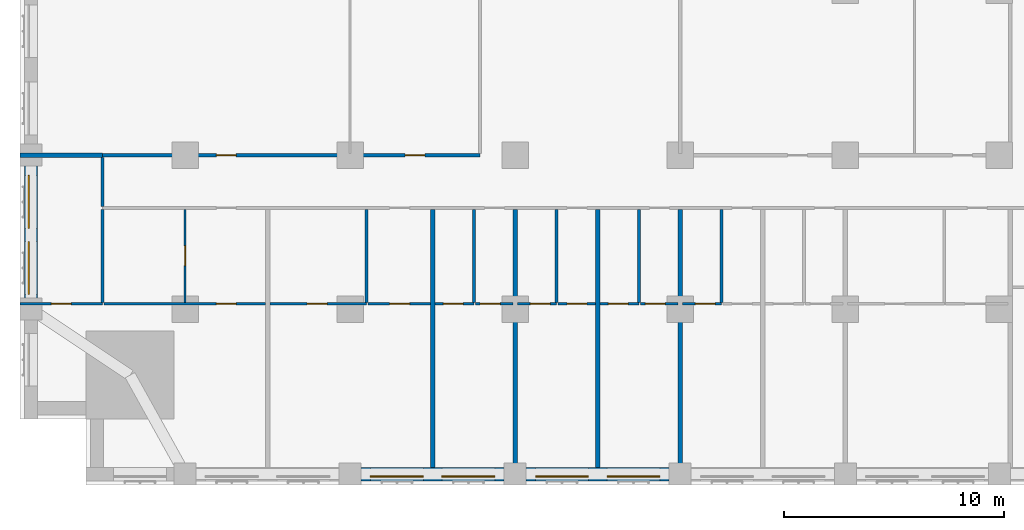
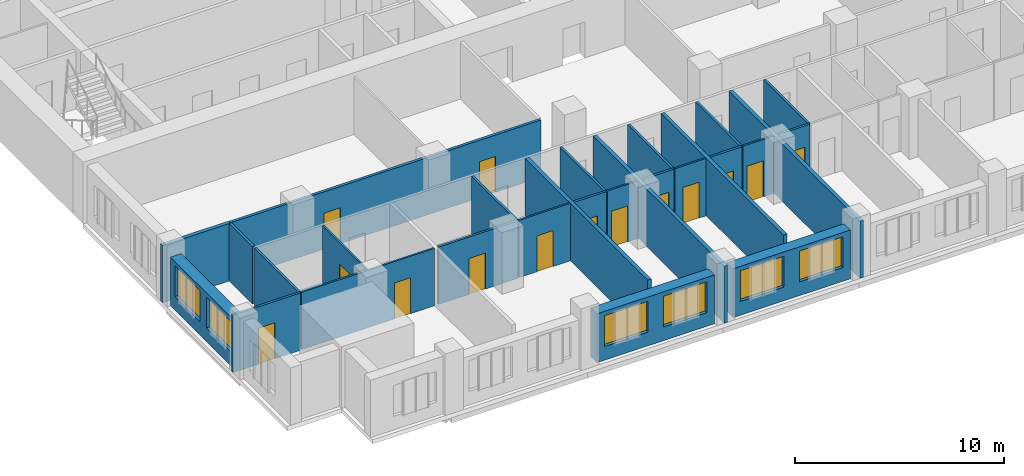
# One storey, part 4 of 15: 28 walls, 14 doors, 6 windows, 20 openings.
"""IFC4 building model written with IfcOpenShell, lengths in metres."""

from ifc_helpers import new_model, si_unit, direction, frame, frame_2d, origin, place, context, subcontext, project, spatial, rectangle, extrude, material, layer, layer_set, type_object, element, fill, save


model = new_model("IFC4")

# Units and contexts
model_context = context("Model", 3, precision=1e-05, world=origin(), true_north=direction((0.0, 1.0)))
body_context = subcontext(model_context, "Body", "Model", "MODEL_VIEW")
ifc_project = project(units=[si_unit("LENGTHUNIT", "METRE"), si_unit("AREAUNIT", "SQUARE_METRE"), si_unit("VOLUMEUNIT", "CUBIC_METRE"), si_unit("PLANEANGLEUNIT", "RADIAN"), si_unit("MASSUNIT", "GRAM", prefix="KILO")], contexts=[model_context])

# Site, building, storey
site_placement = place(None, origin())
site = spatial("IfcSite", under=ifc_project, at=site_placement, CompositionType="ELEMENT")
building_placement = place(site_placement, origin())
building = spatial("IfcBuilding", under=site, at=building_placement, Name="Tamorin Gate", CompositionType="ELEMENT")
storey_placement = place(building_placement, frame((0.0, 0.0, 48.39990234375)))
storey = spatial("IfcBuildingStorey", under=building, at=storey_placement, Name="L10", CompositionType="ELEMENT", Elevation=48.39990234375)

# Wall, openings, windows
ifc_material_1 = material(Name="Precast concrete C40/50", Category="concrete")
ifc_layer_1 = layer(ifc_material_1, 0.60009765625)
ifc_layer_set_1 = layer_set([ifc_layer_1], Name="Precast concrete C40/50")
wall_type_1 = type_object("IfcWallType", Name="Board-marked concrete facade panel 600", PredefinedType="SOLIDWALL", material=ifc_layer_set_1)
wall_1_placement = place(storey_placement, frame((45.5, 38.0, 0.0), z_axis=(0.0, 0.0, 1.0), x_axis=(1.0, 0.0, 0.0)))
wall_1 = element("IfcWall", 1, at=wall_1_placement, inside=storey, type_object=wall_type_1, Name="Facade panel", PredefinedType="SOLIDWALL", context=body_context, shape_type="SweptSolid", body=[
    extrude(rectangle(XDim=6.5, YDim=0.60009765625, at=frame_2d((3.25, 0.0))), origin(), (0.0, 0.0, 1.0), 2.85009765625),
])
opening_1_placement = place(wall_1_placement, frame((0.425048828125, 0.0, 0.800048828125)))
opening_1 = element("IfcOpeningElement", 2, at=opening_1_placement, cuts=wall_1, Name="Opening WN1", PredefinedType="OPENING", context=body_context, shape_type="SweptSolid", body=[
    extrude(rectangle(XDim=2.39990234375, YDim=1.800048828125, at=frame_2d((1.199951171875, 0.89990234375))), frame((0.0, 0.31005859375, 0.0), z_axis=(0.0, -1.0, 0.0), x_axis=(1.0, 0.0, 0.0)), (0.0, 0.0, 1.0), 0.6201171875),
])
opening_2_placement = place(wall_1_placement, frame((3.675048828125, 0.0, 0.800048828125)))
opening_2 = element("IfcOpeningElement", 3, at=opening_2_placement, cuts=wall_1, Name="Opening WN1", PredefinedType="OPENING", context=body_context, shape_type="SweptSolid", body=[
    extrude(rectangle(XDim=2.39990234375, YDim=1.800048828125, at=frame_2d((1.199951171875, 0.89990234375))), frame((0.0, 0.31005859375, 0.0), z_axis=(0.0, -1.0, 0.0), x_axis=(1.0, 0.0, 0.0)), (0.0, 0.0, 1.0), 0.6201171875),
])
ifc_material_2 = material(Name="Clear glass in aluminium frame", Category="aluminium")
window_type = type_object("IfcWindowType", Name="Deep-set window 2400x1800", PartitioningType="SINGLE_PANEL", PredefinedType="WINDOW", material=ifc_material_2)
window_1_placement = place(opening_1_placement, origin())
window_1 = element("IfcWindow", 4, at=window_1_placement, inside=storey, type_object=window_type, Name="Deep-set window", OverallHeight=1.800048828125, OverallWidth=2.39990234375, PartitioningType="SINGLE_PANEL", PredefinedType="WINDOW", context=body_context, shape_type="SweptSolid", body=[
    extrude(rectangle(XDim=2.39990234375, YDim=1.800048828125, at=frame_2d((1.199951171875, 0.89990234375))), frame((0.0, -0.070068359375, 0.0), z_axis=(0.0, -1.0, 0.0), x_axis=(1.0, 0.0, 0.0)), (0.0, 0.0, 1.0), 0.06005859375),
])
fill(opening_1, window_1)
window_2_placement = place(opening_2_placement, origin())
window_2 = element("IfcWindow", 5, at=window_2_placement, inside=storey, type_object=window_type, Name="Deep-set window", OverallHeight=1.800048828125, OverallWidth=2.39990234375, PartitioningType="SINGLE_PANEL", PredefinedType="WINDOW", context=body_context, shape_type="SweptSolid", body=[
    extrude(rectangle(XDim=2.39990234375, YDim=1.800048828125, at=frame_2d((1.199951171875, 0.89990234375))), frame((0.0, -0.070068359375, 0.0), z_axis=(0.0, -1.0, 0.0), x_axis=(1.0, 0.0, 0.0)), (0.0, 0.0, 1.0), 0.06005859375),
])
fill(opening_2, window_2)

wall_2_placement = place(storey_placement, frame((53.0, 38.0, 0.0), z_axis=(0.0, 0.0, 1.0), x_axis=(1.0, 0.0, 0.0)))
wall_2 = element("IfcWall", 6, at=wall_2_placement, inside=storey, type_object=wall_type_1, Name="Facade panel", PredefinedType="SOLIDWALL", context=body_context, shape_type="SweptSolid", body=[
    extrude(rectangle(XDim=6.5, YDim=0.60009765625, at=frame_2d((3.25, 0.0))), origin(), (0.0, 0.0, 1.0), 2.85009765625),
])
opening_3_placement = place(wall_2_placement, frame((0.425048828125, 0.0, 0.800048828125)))
opening_3 = element("IfcOpeningElement", 7, at=opening_3_placement, cuts=wall_2, Name="Opening WN1", PredefinedType="OPENING", context=body_context, shape_type="SweptSolid", body=[
    extrude(rectangle(XDim=2.39990234375, YDim=1.800048828125, at=frame_2d((1.199951171875, 0.89990234375))), frame((0.0, 0.31005859375, 0.0), z_axis=(0.0, -1.0, 0.0), x_axis=(1.0, 0.0, 0.0)), (0.0, 0.0, 1.0), 0.6201171875),
])
opening_4_placement = place(wall_2_placement, frame((3.675048828125, 0.0, 0.800048828125)))
opening_4 = element("IfcOpeningElement", 8, at=opening_4_placement, cuts=wall_2, Name="Opening WN1", PredefinedType="OPENING", context=body_context, shape_type="SweptSolid", body=[
    extrude(rectangle(XDim=2.39990234375, YDim=1.800048828125, at=frame_2d((1.199951171875, 0.89990234375))), frame((0.0, 0.31005859375, 0.0), z_axis=(0.0, -1.0, 0.0), x_axis=(1.0, 0.0, 0.0)), (0.0, 0.0, 1.0), 0.6201171875),
])
window_3_placement = place(opening_3_placement, origin())
window_3 = element("IfcWindow", 9, at=window_3_placement, inside=storey, type_object=window_type, Name="Deep-set window", OverallHeight=1.800048828125, OverallWidth=2.39990234375, PartitioningType="SINGLE_PANEL", PredefinedType="WINDOW", context=body_context, shape_type="SweptSolid", body=[
    extrude(rectangle(XDim=2.39990234375, YDim=1.800048828125, at=frame_2d((1.199951171875, 0.89990234375))), frame((0.0, -0.070068359375, 0.0), z_axis=(0.0, -1.0, 0.0), x_axis=(1.0, 0.0, 0.0)), (0.0, 0.0, 1.0), 0.06005859375),
])
fill(opening_3, window_3)
window_4_placement = place(opening_4_placement, origin())
window_4 = element("IfcWindow", 10, at=window_4_placement, inside=storey, type_object=window_type, Name="Deep-set window", OverallHeight=1.800048828125, OverallWidth=2.39990234375, PartitioningType="SINGLE_PANEL", PredefinedType="WINDOW", context=body_context, shape_type="SweptSolid", body=[
    extrude(rectangle(XDim=2.39990234375, YDim=1.800048828125, at=frame_2d((1.199951171875, 0.89990234375))), frame((0.0, -0.070068359375, 0.0), z_axis=(0.0, -1.0, 0.0), x_axis=(1.0, 0.0, 0.0)), (0.0, 0.0, 1.0), 0.06005859375),
])
fill(opening_4, window_4)

wall_3_placement = place(storey_placement, frame((30.5, 52.0, 0.0), z_axis=(0.0, 0.0, 1.0), x_axis=(0.0, -1.0, 0.0)))
wall_3 = element("IfcWall", 11, at=wall_3_placement, inside=storey, type_object=wall_type_1, Name="Facade panel", PredefinedType="SOLIDWALL", context=body_context, shape_type="SweptSolid", body=[
    extrude(rectangle(XDim=6.0, YDim=0.60009765625, at=frame_2d((3.0, 0.0))), origin(), (0.0, 0.0, 1.0), 2.85009765625),
])
opening_5_placement = place(wall_3_placement, frame((3.425048828125, 0.0, 0.800048828125)))
opening_5 = element("IfcOpeningElement", 12, at=opening_5_placement, cuts=wall_3, Name="Opening WN1", PredefinedType="OPENING", context=body_context, shape_type="SweptSolid", body=[
    extrude(rectangle(XDim=2.39990234375, YDim=1.800048828125, at=frame_2d((1.199951171875, 0.89990234375))), frame((0.0, 0.31005859375, 0.0), z_axis=(0.0, -1.0, 0.0), x_axis=(1.0, 0.0, 0.0)), (0.0, 0.0, 1.0), 0.6201171875),
])
opening_6_placement = place(wall_3_placement, frame((0.425048828125, 0.0, 0.800048828125)))
opening_6 = element("IfcOpeningElement", 13, at=opening_6_placement, cuts=wall_3, Name="Opening WN1", PredefinedType="OPENING", context=body_context, shape_type="SweptSolid", body=[
    extrude(rectangle(XDim=2.39990234375, YDim=1.800048828125, at=frame_2d((1.199951171875, 0.89990234375))), frame((0.0, 0.31005859375, 0.0), z_axis=(0.0, -1.0, 0.0), x_axis=(1.0, 0.0, 0.0)), (0.0, 0.0, 1.0), 0.6201171875),
])
window_5_placement = place(opening_5_placement, origin())
window_5 = element("IfcWindow", 14, at=window_5_placement, inside=storey, type_object=window_type, Name="Deep-set window", OverallHeight=1.800048828125, OverallWidth=2.39990234375, PartitioningType="SINGLE_PANEL", PredefinedType="WINDOW", context=body_context, shape_type="SweptSolid", body=[
    extrude(rectangle(XDim=2.39990234375, YDim=1.800048828125, at=frame_2d((1.199951171875, 0.89990234375))), frame((0.0, -0.070068359375, 0.0), z_axis=(0.0, -1.0, 0.0), x_axis=(1.0, 0.0, 0.0)), (0.0, 0.0, 1.0), 0.06005859375),
])
fill(opening_5, window_5)
window_6_placement = place(opening_6_placement, origin())
window_6 = element("IfcWindow", 15, at=window_6_placement, inside=storey, type_object=window_type, Name="Deep-set window", OverallHeight=1.800048828125, OverallWidth=2.39990234375, PartitioningType="SINGLE_PANEL", PredefinedType="WINDOW", context=body_context, shape_type="SweptSolid", body=[
    extrude(rectangle(XDim=2.39990234375, YDim=1.800048828125, at=frame_2d((1.199951171875, 0.89990234375))), frame((0.0, -0.070068359375, 0.0), z_axis=(0.0, -1.0, 0.0), x_axis=(1.0, 0.0, 0.0)), (0.0, 0.0, 1.0), 0.06005859375),
])
fill(opening_6, window_6)

# Wall, openings, doors
ifc_material_3 = material(Name="Gypsum board partition")
ifc_layer_2 = layer(ifc_material_3, 0.14990234375)
ifc_layer_set_2 = layer_set([ifc_layer_2], Name="Corridor wall 150")
wall_type_2 = type_object("IfcWallType", Name="Corridor wall 150", PredefinedType="PARTITIONING", material=ifc_layer_set_2)
wall_4_placement = place(storey_placement, frame((33.75, 52.5, 0.0), z_axis=(0.0, 0.0, 1.0), x_axis=(1.0, 0.0, 0.0)))
wall_4 = element("IfcWall", 16, at=wall_4_placement, inside=storey, type_object=wall_type_2, Name="Corridor wall 150", PredefinedType="PARTITIONING", context=body_context, shape_type="SweptSolid", body=[
    extrude(rectangle(XDim=17.14990234375, YDim=0.14990234375, at=frame_2d((8.574951171875, 0.0))), origin(), (0.0, 0.0, 1.0), 3.35009765625),
])
opening_7_placement = place(wall_4_placement, frame((5.175048828125, 0.0, 0.0)))
opening_7 = element("IfcOpeningElement", 17, at=opening_7_placement, cuts=wall_4, Name="Opening DH1093", PredefinedType="OPENING", context=body_context, shape_type="SweptSolid", body=[
    extrude(rectangle(XDim=0.89990234375, YDim=2.10009765625, at=frame_2d((0.449951171875, 1.050048828125))), frame((0.0, 0.0849609375, 0.0), z_axis=(0.0, -1.0, 0.0), x_axis=(1.0, 0.0, 0.0)), (0.0, 0.0, 1.0), 0.169921875),
])
opening_8_placement = place(wall_4_placement, frame((13.75, 0.0, 0.0)))
opening_8 = element("IfcOpeningElement", 18, at=opening_8_placement, cuts=wall_4, Name="Opening DH1094", PredefinedType="OPENING", context=body_context, shape_type="SweptSolid", body=[
    extrude(rectangle(XDim=0.89990234375, YDim=2.10009765625, at=frame_2d((0.449951171875, 1.050048828125))), frame((0.0, 0.0849609375, 0.0), z_axis=(0.0, -1.0, 0.0), x_axis=(1.0, 0.0, 0.0)), (0.0, 0.0, 1.0), 0.169921875),
])
ifc_material_4 = material(Name="Timber door leaf", Category="wood")
door_type_1 = type_object("IfcDoorType", Name="Door 900 x 2100 FD30S", OperationType="NOTDEFINED", PredefinedType="DOOR", material=ifc_material_4)
door_1_placement = place(opening_7_placement, origin())
door_1 = element("IfcDoor", 19, at=door_1_placement, inside=storey, type_object=door_type_1, Name="Door DH1093", OperationType="SINGLE_SWING_LEFT", OverallHeight=2.10009765625, OverallWidth=0.89990234375, PredefinedType="DOOR", context=body_context, shape_type="SweptSolid", body=[
    extrude(rectangle(XDim=0.89990234375, YDim=2.10009765625, at=frame_2d((0.449951171875, 1.050048828125))), frame((0.0, 0.02490234375, 0.0), z_axis=(0.0, -1.0, 0.0), x_axis=(1.0, 0.0, 0.0)), (0.0, 0.0, 1.0), 0.050048828125),
])
fill(opening_7, door_1)
door_2_placement = place(opening_8_placement, origin())
door_2 = element("IfcDoor", 20, at=door_2_placement, inside=storey, type_object=door_type_1, Name="Door DH1094", OperationType="SINGLE_SWING_LEFT", OverallHeight=2.10009765625, OverallWidth=0.89990234375, PredefinedType="DOOR", context=body_context, shape_type="SweptSolid", body=[
    extrude(rectangle(XDim=0.89990234375, YDim=2.10009765625, at=frame_2d((0.449951171875, 1.050048828125))), frame((0.0, 0.02490234375, 0.0), z_axis=(0.0, -1.0, 0.0), x_axis=(1.0, 0.0, 0.0)), (0.0, 0.0, 1.0), 0.050048828125),
])
fill(opening_8, door_2)

# Walls
wall_5_placement = place(storey_placement, frame((33.75, 50.175048828125, 0.0), z_axis=(0.0, 0.0, 1.0), x_axis=(0.0, 1.0, 0.0)))
element("IfcWall", 21, at=wall_5_placement, inside=storey, type_object=wall_type_2, Name="Corridor wall 150", PredefinedType="PARTITIONING", context=body_context, shape_type="SweptSolid", body=[
    extrude(rectangle(XDim=2.224853515625, YDim=0.14990234375, at=frame_2d((1.1123046875, 0.0))), origin(), (0.0, 0.0, 1.0), 3.35009765625),
])
ifc_layer_3 = layer(ifc_material_3, 0.199951171875)
ifc_layer_set_3 = layer_set([ifc_layer_3], Name="Demising wall 200")
wall_type_3 = type_object("IfcWallType", Name="Demising wall 200", PredefinedType="PARTITIONING", material=ifc_layer_set_3)
wall_6_placement = place(storey_placement, frame((30.0, 52.5, 0.0), z_axis=(0.0, 0.0, 1.0), x_axis=(1.0, 0.0, 0.0)))
element("IfcWall", 22, at=wall_6_placement, inside=storey, type_object=wall_type_3, Name="Demising wall 200", PredefinedType="PARTITIONING", context=body_context, shape_type="SweptSolid", body=[
    extrude(rectangle(XDim=3.75, YDim=0.199951171875, at=frame_2d((1.875, 0.0))), origin(), (0.0, 0.0, 1.0), 3.35009765625),
])
wall_7_placement = place(storey_placement, frame((48.75, 38.31005859375, 0.0), z_axis=(0.0, 0.0, 1.0), x_axis=(0.0, 1.0, 0.0)))
element("IfcWall", 23, at=wall_7_placement, inside=storey, type_object=wall_type_3, Name="Demising wall 200", PredefinedType="PARTITIONING", context=body_context, shape_type="SweptSolid", body=[
    extrude(rectangle(XDim=11.71484375, YDim=0.199951171875, at=frame_2d((5.857421875, 0.0))), origin(), (0.0, 0.0, 1.0), 3.35009765625),
])
wall_8_placement = place(storey_placement, frame((52.5, 37.5, 0.0), z_axis=(0.0, 0.0, 1.0), x_axis=(0.0, 1.0, 0.0)))
element("IfcWall", 24, at=wall_8_placement, inside=storey, type_object=wall_type_3, Name="Demising wall 200", PredefinedType="PARTITIONING", context=body_context, shape_type="SweptSolid", body=[
    extrude(rectangle(XDim=12.52490234375, YDim=0.199951171875, at=frame_2d((6.262451171875, 0.0))), origin(), (0.0, 0.0, 1.0), 3.35009765625),
])
wall_9_placement = place(storey_placement, frame((56.25, 38.31005859375, 0.0), z_axis=(0.0, 0.0, 1.0), x_axis=(0.0, 1.0, 0.0)))
element("IfcWall", 25, at=wall_9_placement, inside=storey, type_object=wall_type_3, Name="Demising wall 200", PredefinedType="PARTITIONING", context=body_context, shape_type="SweptSolid", body=[
    extrude(rectangle(XDim=11.71484375, YDim=0.199951171875, at=frame_2d((5.857421875, 0.0))), origin(), (0.0, 0.0, 1.0), 3.35009765625),
])
wall_10_placement = place(storey_placement, frame((60.0, 37.5, 0.0), z_axis=(0.0, 0.0, 1.0), x_axis=(0.0, 1.0, 0.0)))
element("IfcWall", 26, at=wall_10_placement, inside=storey, type_object=wall_type_3, Name="Demising wall 200", PredefinedType="PARTITIONING", context=body_context, shape_type="SweptSolid", body=[
    extrude(rectangle(XDim=12.52490234375, YDim=0.199951171875, at=frame_2d((6.262451171875, 0.0))), origin(), (0.0, 0.0, 1.0), 3.35009765625),
])

# Wall, opening, door
ifc_layer_4 = layer(ifc_material_3, 0.10009765625)
ifc_layer_set_4 = layer_set([ifc_layer_4], Name="Room partition 100")
wall_type_4 = type_object("IfcWallType", Name="Room partition 100", PredefinedType="PARTITIONING", material=ifc_layer_set_4)
wall_11_placement = place(storey_placement, frame((33.8125, 45.75, 0.0), z_axis=(0.0, 0.0, 1.0), x_axis=(1.0, 0.0, 0.0)))
wall_11 = element("IfcWall", 27, at=wall_11_placement, inside=storey, type_object=wall_type_4, Name="Room partition 100", PredefinedType="PARTITIONING", context=body_context, shape_type="SweptSolid", body=[
    extrude(rectangle(XDim=7.33740234375, YDim=0.10009765625, at=frame_2d((3.668701171875, 0.0))), origin(), (0.0, 0.0, 1.0), 3.35009765625),
])
opening_9_placement = place(wall_11_placement, frame((5.112548828125, 0.0, 0.0)))
opening_9 = element("IfcOpeningElement", 28, at=opening_9_placement, cuts=wall_11, Name="Opening DH1004", PredefinedType="OPENING", context=body_context, shape_type="SweptSolid", body=[
    extrude(rectangle(XDim=0.89990234375, YDim=2.10009765625, at=frame_2d((0.449951171875, 1.050048828125))), frame((0.0, 0.06005859375, 0.0), z_axis=(0.0, -1.0, 0.0), x_axis=(1.0, 0.0, 0.0)), (0.0, 0.0, 1.0), 0.1201171875),
])
door_type_2 = type_object("IfcDoorType", Name="Door 900 x 2100", OperationType="NOTDEFINED", PredefinedType="DOOR", material=ifc_material_4)
door_3_placement = place(opening_9_placement, origin())
door_3 = element("IfcDoor", 29, at=door_3_placement, inside=storey, type_object=door_type_2, Name="Door DH1004", OperationType="SINGLE_SWING_LEFT", OverallHeight=2.10009765625, OverallWidth=0.89990234375, PredefinedType="DOOR", context=body_context, shape_type="SweptSolid", body=[
    extrude(rectangle(XDim=0.89990234375, YDim=2.10009765625, at=frame_2d((0.449951171875, 1.050048828125))), frame((0.0, 0.02490234375, 0.0), z_axis=(0.0, -1.0, 0.0), x_axis=(1.0, 0.0, 0.0)), (0.0, 0.0, 1.0), 0.050048828125),
])
fill(opening_9, door_3)

wall_12_placement = place(storey_placement, frame((45.8125, 45.75, 0.0), z_axis=(0.0, 0.0, 1.0), x_axis=(1.0, 0.0, 0.0)))
wall_12 = element("IfcWall", 30, at=wall_12_placement, inside=storey, type_object=wall_type_4, Name="Room partition 100", PredefinedType="PARTITIONING", context=body_context, shape_type="SweptSolid", body=[
    extrude(rectangle(XDim=2.83740234375, YDim=0.10009765625, at=frame_2d((1.418701171875, 0.0))), origin(), (0.0, 0.0, 1.0), 3.35009765625),
])
opening_10_placement = place(wall_12_placement, frame((0.987548828125, 0.0, 0.0)))
opening_10 = element("IfcOpeningElement", 31, at=opening_10_placement, cuts=wall_12, Name="Opening DH1007", PredefinedType="OPENING", context=body_context, shape_type="SweptSolid", body=[
    extrude(rectangle(XDim=0.89990234375, YDim=2.10009765625, at=frame_2d((0.449951171875, 1.050048828125))), frame((0.0, 0.06005859375, 0.0), z_axis=(0.0, -1.0, 0.0), x_axis=(1.0, 0.0, 0.0)), (0.0, 0.0, 1.0), 0.1201171875),
])
door_4_placement = place(opening_10_placement, origin())
door_4 = element("IfcDoor", 32, at=door_4_placement, inside=storey, type_object=door_type_2, Name="Door DH1007", OperationType="SINGLE_SWING_LEFT", OverallHeight=2.10009765625, OverallWidth=0.89990234375, PredefinedType="DOOR", context=body_context, shape_type="SweptSolid", body=[
    extrude(rectangle(XDim=0.89990234375, YDim=2.10009765625, at=frame_2d((0.449951171875, 1.050048828125))), frame((0.0, 0.02490234375, 0.0), z_axis=(0.0, -1.0, 0.0), x_axis=(1.0, 0.0, 0.0)), (0.0, 0.0, 1.0), 0.050048828125),
])
fill(opening_10, door_4)

wall_13_placement = place(storey_placement, frame((50.6875, 45.75, 0.0), z_axis=(0.0, 0.0, 1.0), x_axis=(1.0, 0.0, 0.0)))
wall_13 = element("IfcWall", 33, at=wall_13_placement, inside=storey, type_object=wall_type_4, Name="Room partition 100", PredefinedType="PARTITIONING", context=body_context, shape_type="SweptSolid", body=[
    extrude(rectangle(XDim=1.71240234375, YDim=0.10009765625, at=frame_2d((0.856201171875, 0.0))), origin(), (0.0, 0.0, 1.0), 3.35009765625),
])
opening_11_placement = place(wall_13_placement, frame((0.22509765625, 0.0, 0.0)))
opening_11 = element("IfcOpeningElement", 34, at=opening_11_placement, cuts=wall_13, Name="Opening DH1010", PredefinedType="OPENING", context=body_context, shape_type="SweptSolid", body=[
    extrude(rectangle(XDim=0.89990234375, YDim=2.10009765625, at=frame_2d((0.449951171875, 1.050048828125))), frame((0.0, 0.06005859375, 0.0), z_axis=(0.0, -1.0, 0.0), x_axis=(1.0, 0.0, 0.0)), (0.0, 0.0, 1.0), 0.1201171875),
])
door_5_placement = place(opening_11_placement, origin())
door_5 = element("IfcDoor", 35, at=door_5_placement, inside=storey, type_object=door_type_2, Name="Door DH1010", OperationType="SINGLE_SWING_LEFT", OverallHeight=2.10009765625, OverallWidth=0.89990234375, PredefinedType="DOOR", context=body_context, shape_type="SweptSolid", body=[
    extrude(rectangle(XDim=0.89990234375, YDim=2.10009765625, at=frame_2d((0.449951171875, 1.050048828125))), frame((0.0, 0.02490234375, 0.0), z_axis=(0.0, -1.0, 0.0), x_axis=(1.0, 0.0, 0.0)), (0.0, 0.0, 1.0), 0.050048828125),
])
fill(opening_11, door_5)

wall_14_placement = place(storey_placement, frame((54.4375, 45.75, 0.0), z_axis=(0.0, 0.0, 1.0), x_axis=(1.0, 0.0, 0.0)))
wall_14 = element("IfcWall", 36, at=wall_14_placement, inside=storey, type_object=wall_type_4, Name="Room partition 100", PredefinedType="PARTITIONING", context=body_context, shape_type="SweptSolid", body=[
    extrude(rectangle(XDim=1.71240234375, YDim=0.10009765625, at=frame_2d((0.856201171875, 0.0))), origin(), (0.0, 0.0, 1.0), 3.35009765625),
])
opening_12_placement = place(wall_14_placement, frame((0.425048828125, 0.0, 0.0)))
opening_12 = element("IfcOpeningElement", 37, at=opening_12_placement, cuts=wall_14, Name="Opening DH1013", PredefinedType="OPENING", context=body_context, shape_type="SweptSolid", body=[
    extrude(rectangle(XDim=0.89990234375, YDim=2.10009765625, at=frame_2d((0.449951171875, 1.050048828125))), frame((0.0, 0.06005859375, 0.0), z_axis=(0.0, -1.0, 0.0), x_axis=(1.0, 0.0, 0.0)), (0.0, 0.0, 1.0), 0.1201171875),
])
door_6_placement = place(opening_12_placement, origin())
door_6 = element("IfcDoor", 38, at=door_6_placement, inside=storey, type_object=door_type_2, Name="Door DH1013", OperationType="SINGLE_SWING_LEFT", OverallHeight=2.10009765625, OverallWidth=0.89990234375, PredefinedType="DOOR", context=body_context, shape_type="SweptSolid", body=[
    extrude(rectangle(XDim=0.89990234375, YDim=2.10009765625, at=frame_2d((0.449951171875, 1.050048828125))), frame((0.0, 0.02490234375, 0.0), z_axis=(0.0, -1.0, 0.0), x_axis=(1.0, 0.0, 0.0)), (0.0, 0.0, 1.0), 0.050048828125),
])
fill(opening_12, door_6)

wall_15_placement = place(storey_placement, frame((58.1875, 45.75, 0.0), z_axis=(0.0, 0.0, 1.0), x_axis=(1.0, 0.0, 0.0)))
wall_15 = element("IfcWall", 39, at=wall_15_placement, inside=storey, type_object=wall_type_4, Name="Room partition 100", PredefinedType="PARTITIONING", context=body_context, shape_type="SweptSolid", body=[
    extrude(rectangle(XDim=1.71240234375, YDim=0.10009765625, at=frame_2d((0.856201171875, 0.0))), origin(), (0.0, 0.0, 1.0), 3.35009765625),
])
opening_13_placement = place(wall_15_placement, frame((0.22509765625, 0.0, 0.0)))
opening_13 = element("IfcOpeningElement", 40, at=opening_13_placement, cuts=wall_15, Name="Opening DH1016", PredefinedType="OPENING", context=body_context, shape_type="SweptSolid", body=[
    extrude(rectangle(XDim=0.89990234375, YDim=2.10009765625, at=frame_2d((0.449951171875, 1.050048828125))), frame((0.0, 0.06005859375, 0.0), z_axis=(0.0, -1.0, 0.0), x_axis=(1.0, 0.0, 0.0)), (0.0, 0.0, 1.0), 0.1201171875),
])
door_7_placement = place(opening_13_placement, origin())
door_7 = element("IfcDoor", 41, at=door_7_placement, inside=storey, type_object=door_type_2, Name="Door DH1016", OperationType="SINGLE_SWING_LEFT", OverallHeight=2.10009765625, OverallWidth=0.89990234375, PredefinedType="DOOR", context=body_context, shape_type="SweptSolid", body=[
    extrude(rectangle(XDim=0.89990234375, YDim=2.10009765625, at=frame_2d((0.449951171875, 1.050048828125))), frame((0.0, 0.02490234375, 0.0), z_axis=(0.0, -1.0, 0.0), x_axis=(1.0, 0.0, 0.0)), (0.0, 0.0, 1.0), 0.050048828125),
])
fill(opening_13, door_7)

wall_16_placement = place(storey_placement, frame((37.5, 45.800048828125, 0.0), z_axis=(0.0, 0.0, 1.0), x_axis=(0.0, 1.0, 0.0)))
wall_16 = element("IfcWall", 42, at=wall_16_placement, inside=storey, type_object=wall_type_4, Name="Room partition 100", PredefinedType="PARTITIONING", context=body_context, shape_type="SweptSolid", body=[
    extrude(rectangle(XDim=4.224853515625, YDim=0.10009765625, at=frame_2d((2.1123046875, 0.0))), origin(), (0.0, 0.0, 1.0), 3.35009765625),
])
opening_14_placement = place(wall_16_placement, frame((1.675048828125, 0.0, 0.0)))
opening_14 = element("IfcOpeningElement", 43, at=opening_14_placement, cuts=wall_16, Name="Opening DH1002", PredefinedType="OPENING", context=body_context, shape_type="SweptSolid", body=[
    extrude(rectangle(XDim=0.89990234375, YDim=2.10009765625, at=frame_2d((0.449951171875, 1.050048828125))), frame((0.0, 0.06005859375, 0.0), z_axis=(0.0, -1.0, 0.0), x_axis=(1.0, 0.0, 0.0)), (0.0, 0.0, 1.0), 0.1201171875),
])
door_8_placement = place(opening_14_placement, origin())
door_8 = element("IfcDoor", 44, at=door_8_placement, inside=storey, type_object=door_type_2, Name="Door DH1002", OperationType="SINGLE_SWING_RIGHT", OverallHeight=2.10009765625, OverallWidth=0.89990234375, PredefinedType="DOOR", context=body_context, shape_type="SweptSolid", body=[
    extrude(rectangle(XDim=0.89990234375, YDim=2.10009765625, at=frame_2d((0.449951171875, 1.050048828125))), frame((0.0, 0.02490234375, 0.0), z_axis=(0.0, -1.0, 0.0), x_axis=(1.0, 0.0, 0.0)), (0.0, 0.0, 1.0), 0.050048828125),
])
fill(opening_14, door_8)

ifc_layer_5 = layer(ifc_material_3, 0.125)
ifc_layer_set_5 = layer_set([ifc_layer_5], Name="Wet wall 125")
wall_type_5 = type_object("IfcWallType", Name="Wet wall 125", PredefinedType="PARTITIONING", material=ifc_layer_set_5)
wall_17_placement = place(storey_placement, frame((30.0, 45.75, 0.0), z_axis=(0.0, 0.0, 1.0), x_axis=(1.0, 0.0, 0.0)))
wall_17 = element("IfcWall", 45, at=wall_17_placement, inside=storey, type_object=wall_type_5, Name="Wet wall 125", PredefinedType="PARTITIONING", context=body_context, shape_type="SweptSolid", body=[
    extrude(rectangle(XDim=3.75, YDim=0.125, at=frame_2d((1.875, 0.0))), origin(), (0.0, 0.0, 1.0), 3.35009765625),
])
opening_15_placement = place(wall_17_placement, frame((1.425048828125, 0.0, 0.0)))
opening_15 = element("IfcOpeningElement", 46, at=opening_15_placement, cuts=wall_17, Name="Opening DH1001", PredefinedType="OPENING", context=body_context, shape_type="SweptSolid", body=[
    extrude(rectangle(XDim=0.89990234375, YDim=2.10009765625, at=frame_2d((0.449951171875, 1.050048828125))), frame((0.0, 0.072509765625, 0.0), z_axis=(0.0, -1.0, 0.0), x_axis=(1.0, 0.0, 0.0)), (0.0, 0.0, 1.0), 0.14501953125),
])
door_9_placement = place(opening_15_placement, origin())
door_9 = element("IfcDoor", 47, at=door_9_placement, inside=storey, type_object=door_type_2, Name="Door DH1001", OperationType="SINGLE_SWING_LEFT", OverallHeight=2.10009765625, OverallWidth=0.89990234375, PredefinedType="DOOR", context=body_context, shape_type="SweptSolid", body=[
    extrude(rectangle(XDim=0.89990234375, YDim=2.10009765625, at=frame_2d((0.449951171875, 1.050048828125))), frame((0.0, 0.02490234375, 0.0), z_axis=(0.0, -1.0, 0.0), x_axis=(1.0, 0.0, 0.0)), (0.0, 0.0, 1.0), 0.050048828125),
])
fill(opening_15, door_9)

wall_18_placement = place(storey_placement, frame((41.35009765625, 45.75, 0.0), z_axis=(0.0, 0.0, 1.0), x_axis=(1.0, 0.0, 0.0)))
wall_18 = element("IfcWall", 48, at=wall_18_placement, inside=storey, type_object=wall_type_5, Name="Wet wall 125", PredefinedType="PARTITIONING", context=body_context, shape_type="SweptSolid", body=[
    extrude(rectangle(XDim=4.39990234375, YDim=0.125, at=frame_2d((2.199951171875, 0.0))), origin(), (0.0, 0.0, 1.0), 3.35009765625),
])
opening_16_placement = place(wall_18_placement, frame((1.699951171875, 0.0, 0.0)))
opening_16 = element("IfcOpeningElement", 49, at=opening_16_placement, cuts=wall_18, Name="Opening DH1005", PredefinedType="OPENING", context=body_context, shape_type="SweptSolid", body=[
    extrude(rectangle(XDim=0.89990234375, YDim=2.10009765625, at=frame_2d((0.449951171875, 1.050048828125))), frame((0.0, 0.072509765625, 0.0), z_axis=(0.0, -1.0, 0.0), x_axis=(1.0, 0.0, 0.0)), (0.0, 0.0, 1.0), 0.14501953125),
])
door_10_placement = place(opening_16_placement, origin())
door_10 = element("IfcDoor", 50, at=door_10_placement, inside=storey, type_object=door_type_2, Name="Door DH1005", OperationType="SINGLE_SWING_LEFT", OverallHeight=2.10009765625, OverallWidth=0.89990234375, PredefinedType="DOOR", context=body_context, shape_type="SweptSolid", body=[
    extrude(rectangle(XDim=0.89990234375, YDim=2.10009765625, at=frame_2d((0.449951171875, 1.050048828125))), frame((0.0, 0.02490234375, 0.0), z_axis=(0.0, -1.0, 0.0), x_axis=(1.0, 0.0, 0.0)), (0.0, 0.0, 1.0), 0.050048828125),
])
fill(opening_16, door_10)

wall_19_placement = place(storey_placement, frame((48.85009765625, 45.75, 0.0), z_axis=(0.0, 0.0, 1.0), x_axis=(1.0, 0.0, 0.0)))
wall_19 = element("IfcWall", 51, at=wall_19_placement, inside=storey, type_object=wall_type_5, Name="Wet wall 125", PredefinedType="PARTITIONING", context=body_context, shape_type="SweptSolid", body=[
    extrude(rectangle(XDim=1.77490234375, YDim=0.125, at=frame_2d((0.887451171875, 0.0))), origin(), (0.0, 0.0, 1.0), 3.35009765625),
])
opening_17_placement = place(wall_19_placement, frame((0.387451171875, 0.0, 0.0)))
opening_17 = element("IfcOpeningElement", 52, at=opening_17_placement, cuts=wall_19, Name="Opening DH1008", PredefinedType="OPENING", context=body_context, shape_type="SweptSolid", body=[
    extrude(rectangle(XDim=0.89990234375, YDim=2.10009765625, at=frame_2d((0.449951171875, 1.050048828125))), frame((0.0, 0.072509765625, 0.0), z_axis=(0.0, -1.0, 0.0), x_axis=(1.0, 0.0, 0.0)), (0.0, 0.0, 1.0), 0.14501953125),
])
door_11_placement = place(opening_17_placement, origin())
door_11 = element("IfcDoor", 53, at=door_11_placement, inside=storey, type_object=door_type_2, Name="Door DH1008", OperationType="SINGLE_SWING_LEFT", OverallHeight=2.10009765625, OverallWidth=0.89990234375, PredefinedType="DOOR", context=body_context, shape_type="SweptSolid", body=[
    extrude(rectangle(XDim=0.89990234375, YDim=2.10009765625, at=frame_2d((0.449951171875, 1.050048828125))), frame((0.0, 0.02490234375, 0.0), z_axis=(0.0, -1.0, 0.0), x_axis=(1.0, 0.0, 0.0)), (0.0, 0.0, 1.0), 0.050048828125),
])
fill(opening_17, door_11)

wall_20_placement = place(storey_placement, frame((52.60009765625, 45.75, 0.0), z_axis=(0.0, 0.0, 1.0), x_axis=(1.0, 0.0, 0.0)))
wall_20 = element("IfcWall", 54, at=wall_20_placement, inside=storey, type_object=wall_type_5, Name="Wet wall 125", PredefinedType="PARTITIONING", context=body_context, shape_type="SweptSolid", body=[
    extrude(rectangle(XDim=1.77490234375, YDim=0.125, at=frame_2d((0.887451171875, 0.0))), origin(), (0.0, 0.0, 1.0), 3.35009765625),
])
opening_18_placement = place(wall_20_placement, frame((0.58740234375, 0.0, 0.0)))
opening_18 = element("IfcOpeningElement", 55, at=opening_18_placement, cuts=wall_20, Name="Opening DH1011", PredefinedType="OPENING", context=body_context, shape_type="SweptSolid", body=[
    extrude(rectangle(XDim=0.89990234375, YDim=2.10009765625, at=frame_2d((0.449951171875, 1.050048828125))), frame((0.0, 0.072509765625, 0.0), z_axis=(0.0, -1.0, 0.0), x_axis=(1.0, 0.0, 0.0)), (0.0, 0.0, 1.0), 0.14501953125),
])
door_12_placement = place(opening_18_placement, origin())
door_12 = element("IfcDoor", 56, at=door_12_placement, inside=storey, type_object=door_type_2, Name="Door DH1011", OperationType="SINGLE_SWING_RIGHT", OverallHeight=2.10009765625, OverallWidth=0.89990234375, PredefinedType="DOOR", context=body_context, shape_type="SweptSolid", body=[
    extrude(rectangle(XDim=0.89990234375, YDim=2.10009765625, at=frame_2d((0.449951171875, 1.050048828125))), frame((0.0, 0.02490234375, 0.0), z_axis=(0.0, -1.0, 0.0), x_axis=(1.0, 0.0, 0.0)), (0.0, 0.0, 1.0), 0.050048828125),
])
fill(opening_18, door_12)

wall_21_placement = place(storey_placement, frame((56.35009765625, 45.75, 0.0), z_axis=(0.0, 0.0, 1.0), x_axis=(1.0, 0.0, 0.0)))
wall_21 = element("IfcWall", 57, at=wall_21_placement, inside=storey, type_object=wall_type_5, Name="Wet wall 125", PredefinedType="PARTITIONING", context=body_context, shape_type="SweptSolid", body=[
    extrude(rectangle(XDim=1.77490234375, YDim=0.125, at=frame_2d((0.887451171875, 0.0))), origin(), (0.0, 0.0, 1.0), 3.35009765625),
])
opening_19_placement = place(wall_21_placement, frame((0.387451171875, 0.0, 0.0)))
opening_19 = element("IfcOpeningElement", 58, at=opening_19_placement, cuts=wall_21, Name="Opening DH1014", PredefinedType="OPENING", context=body_context, shape_type="SweptSolid", body=[
    extrude(rectangle(XDim=0.89990234375, YDim=2.10009765625, at=frame_2d((0.449951171875, 1.050048828125))), frame((0.0, 0.072509765625, 0.0), z_axis=(0.0, -1.0, 0.0), x_axis=(1.0, 0.0, 0.0)), (0.0, 0.0, 1.0), 0.14501953125),
])
door_13_placement = place(opening_19_placement, origin())
door_13 = element("IfcDoor", 59, at=door_13_placement, inside=storey, type_object=door_type_2, Name="Door DH1014", OperationType="SINGLE_SWING_LEFT", OverallHeight=2.10009765625, OverallWidth=0.89990234375, PredefinedType="DOOR", context=body_context, shape_type="SweptSolid", body=[
    extrude(rectangle(XDim=0.89990234375, YDim=2.10009765625, at=frame_2d((0.449951171875, 1.050048828125))), frame((0.0, 0.02490234375, 0.0), z_axis=(0.0, -1.0, 0.0), x_axis=(1.0, 0.0, 0.0)), (0.0, 0.0, 1.0), 0.050048828125),
])
fill(opening_19, door_13)

wall_22_placement = place(storey_placement, frame((60.10009765625, 45.75, 0.0), z_axis=(0.0, 0.0, 1.0), x_axis=(1.0, 0.0, 0.0)))
wall_22 = element("IfcWall", 60, at=wall_22_placement, inside=storey, type_object=wall_type_5, Name="Wet wall 125", PredefinedType="PARTITIONING", context=body_context, shape_type="SweptSolid", body=[
    extrude(rectangle(XDim=1.77490234375, YDim=0.125, at=frame_2d((0.887451171875, 0.0))), origin(), (0.0, 0.0, 1.0), 3.35009765625),
])
opening_20_placement = place(wall_22_placement, frame((0.58740234375, 0.0, 0.0)))
opening_20 = element("IfcOpeningElement", 61, at=opening_20_placement, cuts=wall_22, Name="Opening DH1017", PredefinedType="OPENING", context=body_context, shape_type="SweptSolid", body=[
    extrude(rectangle(XDim=0.89990234375, YDim=2.10009765625, at=frame_2d((0.449951171875, 1.050048828125))), frame((0.0, 0.072509765625, 0.0), z_axis=(0.0, -1.0, 0.0), x_axis=(1.0, 0.0, 0.0)), (0.0, 0.0, 1.0), 0.14501953125),
])
door_14_placement = place(opening_20_placement, origin())
door_14 = element("IfcDoor", 62, at=door_14_placement, inside=storey, type_object=door_type_2, Name="Door DH1017", OperationType="SINGLE_SWING_RIGHT", OverallHeight=2.10009765625, OverallWidth=0.89990234375, PredefinedType="DOOR", context=body_context, shape_type="SweptSolid", body=[
    extrude(rectangle(XDim=0.89990234375, YDim=2.10009765625, at=frame_2d((0.449951171875, 1.050048828125))), frame((0.0, 0.02490234375, 0.0), z_axis=(0.0, -1.0, 0.0), x_axis=(1.0, 0.0, 0.0)), (0.0, 0.0, 1.0), 0.050048828125),
])
fill(opening_20, door_14)

# Walls
for number, where, z_axis, x_axis, name in (
    (63, (33.75, 45.8125, 0.0), (0.0, 0.0, 1.0), (0.0, 1.0, 0.0), "Wet wall 125"),
    (64, (45.75, 45.8125, 0.0), (0.0, 0.0, 1.0), (0.0, 1.0, 0.0), "Wet wall 125"),
    (65, (50.625, 45.8125, 0.0), (0.0, 0.0, 1.0), (0.0, 1.0, 0.0), "Wet wall 125"),
    (66, (54.375, 45.8125, 0.0), (0.0, 0.0, 1.0), (0.0, 1.0, 0.0), "Wet wall 125"),
    (67, (58.125, 45.8125, 0.0), (0.0, 0.0, 1.0), (0.0, 1.0, 0.0), "Wet wall 125"),
    (68, (61.875, 45.8125, 0.0), (0.0, 0.0, 1.0), (0.0, 1.0, 0.0), "Wet wall 125"),
):
    element("IfcWall", number, at=place(storey_placement, frame(where, z_axis=z_axis, x_axis=x_axis)), inside=storey, type_object=wall_type_5, Name=name, PredefinedType="PARTITIONING", context=body_context, shape_type="SweptSolid", body=[
        extrude(rectangle(XDim=4.21240234375, YDim=0.125, at=frame_2d((2.106201171875, 0.0))), origin(), (0.0, 0.0, 1.0), 3.35009765625),
    ])

save(model, "model.ifc")
